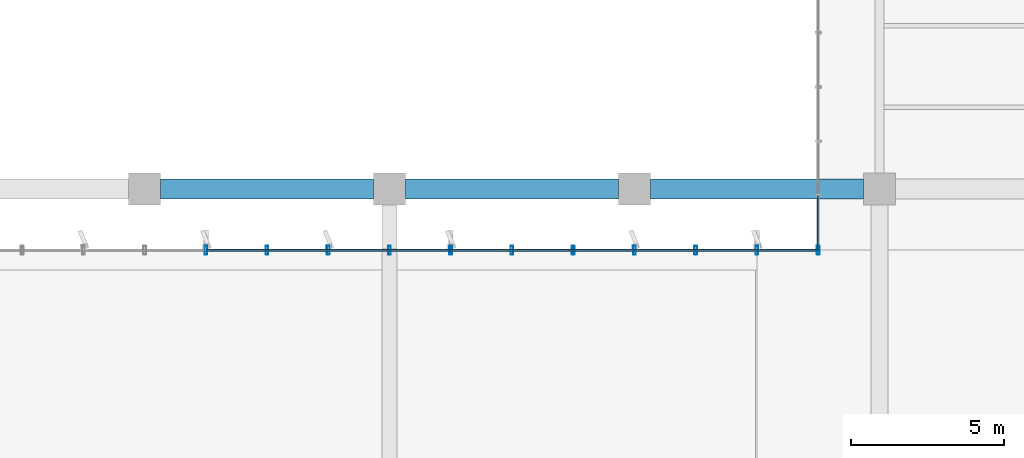
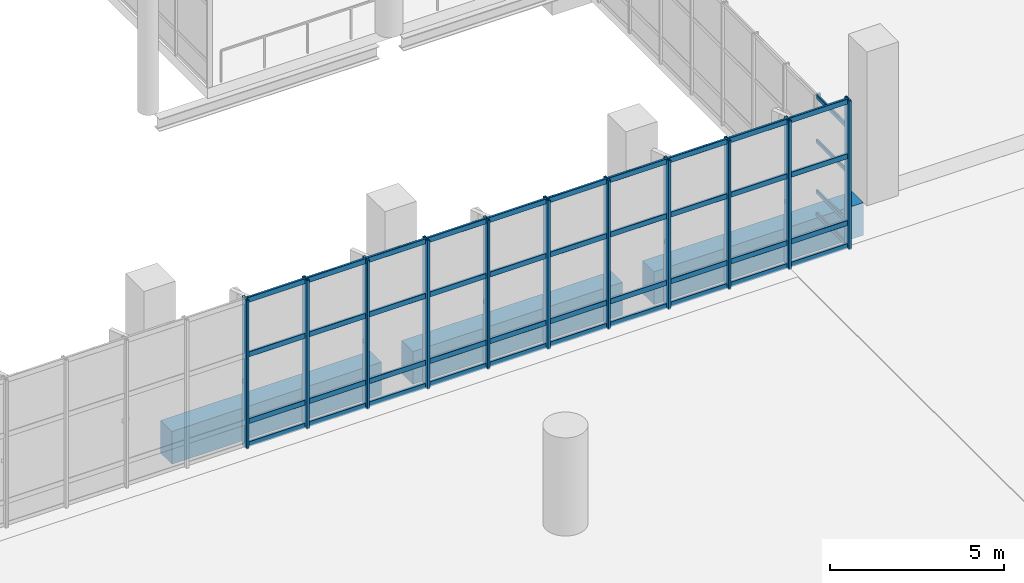
# One storey, part 60 of 176: 55 members, 3 beams, 4 elements without a shape of their own.
"""IFC4 building model written with IfcOpenShell, lengths in metres."""

from ifc_helpers import new_model, si_unit, direction, frame, origin, origin_2d, place, context, subcontext, project, spatial, rectangle, hollow_rectangle, extrude, material, layer, layer_set, material_profile, profile_set, type_object, element, aggregate, save


model = new_model("IFC4")

# Units and contexts
model_context = context("Model", 3, precision=1e-05, world=origin(), true_north=direction((0.0, 1.0)))
body_context = subcontext(model_context, "Body", "Model", "MODEL_VIEW")
ifc_project = project(units=[si_unit("LENGTHUNIT", "METRE"), si_unit("AREAUNIT", "SQUARE_METRE"), si_unit("VOLUMEUNIT", "CUBIC_METRE"), si_unit("PLANEANGLEUNIT", "RADIAN"), si_unit("MASSUNIT", "GRAM", prefix="KILO")], contexts=[model_context])

# Site, building, storey
site_placement = place(None, origin())
site = spatial("IfcSite", under=ifc_project, at=site_placement, CompositionType="ELEMENT")
building_placement = place(site_placement, origin())
building = spatial("IfcBuilding", under=site, at=building_placement, Name="Khorjan Park Terminus", CompositionType="ELEMENT")
storey_placement = place(building_placement, frame((0.0, 0.0, 6.0)))
storey = spatial("IfcBuildingStorey", under=building, at=storey_placement, Name="L01", CompositionType="ELEMENT", Elevation=6.0)

# Curtain wall, members
ifc_material_1 = material(Name="Anodized Bronze Aluminium", Category="aluminium")
ifc_layer_1 = layer(ifc_material_1, 0.22)
ifc_layer_set_1 = layer_set([ifc_layer_1], Name="Anodized Bronze Aluminium")
curtain_wall_type_1 = type_object("IfcCurtainWallType", Name="CW-CONC-A", PredefinedType="NOTDEFINED", material=ifc_layer_set_1)
curtain_wall_1_placement = place(storey_placement, origin())
curtain_wall_1 = element("IfcCurtainWall", 1, at=curtain_wall_1_placement, inside=storey, type_object=curtain_wall_type_1, Name="Unitized curtain wall CW-A (CW-V2-N-L01-04)", PredefinedType="NOTDEFINED")
ifc_material_profile_1 = material_profile(ifc_material_1, hollow_rectangle(XDim=0.09, YDim=0.28, WallThickness=0.006, InnerFilletRadius=0.006, OuterFilletRadius=0.012, at=origin_2d()), Name="ALM 90x280x6")
ifc_profile_set_1 = profile_set([ifc_material_profile_1], Name="Anodized Bronze Aluminium")
member_type_1 = type_object("IfcMemberType", Name="ML-ALM-280", PredefinedType="MULLION", material=ifc_profile_set_1)
member_1_placement = place(storey_placement, frame((92.0, 86.0, -0.035), z_axis=(0.0, 0.0, 1.0), x_axis=(-1.0, 0.0, 0.0)))
member_1 = element("IfcMember", 2, at=member_1_placement, type_object=member_type_1, Name="Curtain-wall mullion ML-28 (CW-V2-N-L01-04-0)", PredefinedType="MULLION", context=body_context, shape_type="SweptSolid", body=[
    extrude(hollow_rectangle(XDim=0.09, YDim=0.28, WallThickness=0.006, InnerFilletRadius=0.006, OuterFilletRadius=0.012, at=origin_2d()), origin(), (0.0, 0.0, 1.0), 5.22),
])
member_2_placement = place(storey_placement, frame((90.0, 86.0, -0.035), z_axis=(0.0, 0.0, 1.0), x_axis=(-1.0, 0.0, 0.0)))
member_2 = element("IfcMember", 3, at=member_2_placement, type_object=member_type_1, Name="Curtain-wall mullion ML-28 (CW-V2-N-L01-04-1)", PredefinedType="MULLION", context=body_context, shape_type="SweptSolid", body=[
    extrude(hollow_rectangle(XDim=0.09, YDim=0.28, WallThickness=0.006, InnerFilletRadius=0.006, OuterFilletRadius=0.012, at=origin_2d()), origin(), (0.0, 0.0, 1.0), 5.22),
])

curtain_wall_2_placement = place(storey_placement, origin())
curtain_wall_2 = element("IfcCurtainWall", 4, at=curtain_wall_2_placement, inside=storey, type_object=curtain_wall_type_1, Name="Unitized curtain wall CW-A (CW-V2-N-L01-05)", PredefinedType="NOTDEFINED")
member_3_placement = place(storey_placement, frame((100.0, 86.0, -0.035), z_axis=(0.0, 0.0, 1.0), x_axis=(-1.0, 0.0, 0.0)))
member_3 = element("IfcMember", 5, at=member_3_placement, type_object=member_type_1, Name="Curtain-wall mullion ML-28 (CW-V2-N-L01-05-0)", PredefinedType="MULLION", context=body_context, shape_type="SweptSolid", body=[
    extrude(hollow_rectangle(XDim=0.09, YDim=0.28, WallThickness=0.006, InnerFilletRadius=0.006, OuterFilletRadius=0.012, at=origin_2d()), origin(), (0.0, 0.0, 1.0), 5.22),
])
member_4_placement = place(storey_placement, frame((98.0, 86.0, -0.035), z_axis=(0.0, 0.0, 1.0), x_axis=(-1.0, 0.0, 0.0)))
member_4 = element("IfcMember", 6, at=member_4_placement, type_object=member_type_1, Name="Curtain-wall mullion ML-28 (CW-V2-N-L01-05-1)", PredefinedType="MULLION", context=body_context, shape_type="SweptSolid", body=[
    extrude(hollow_rectangle(XDim=0.09, YDim=0.28, WallThickness=0.006, InnerFilletRadius=0.006, OuterFilletRadius=0.012, at=origin_2d()), origin(), (0.0, 0.0, 1.0), 5.22),
])
member_5_placement = place(storey_placement, frame((96.0, 86.0, -0.035), z_axis=(0.0, 0.0, 1.0), x_axis=(-1.0, 0.0, 0.0)))
member_5 = element("IfcMember", 7, at=member_5_placement, type_object=member_type_1, Name="Curtain-wall mullion ML-28 (CW-V2-N-L01-05-2)", PredefinedType="MULLION", context=body_context, shape_type="SweptSolid", body=[
    extrude(hollow_rectangle(XDim=0.09, YDim=0.28, WallThickness=0.006, InnerFilletRadius=0.006, OuterFilletRadius=0.012, at=origin_2d()), origin(), (0.0, 0.0, 1.0), 5.22),
])
member_6_placement = place(storey_placement, frame((94.0, 86.0, -0.035), z_axis=(0.0, 0.0, 1.0), x_axis=(-1.0, 0.0, 0.0)))
member_6 = element("IfcMember", 8, at=member_6_placement, type_object=member_type_1, Name="Curtain-wall mullion ML-28 (CW-V2-N-L01-05-3)", PredefinedType="MULLION", context=body_context, shape_type="SweptSolid", body=[
    extrude(hollow_rectangle(XDim=0.09, YDim=0.28, WallThickness=0.006, InnerFilletRadius=0.006, OuterFilletRadius=0.012, at=origin_2d()), origin(), (0.0, 0.0, 1.0), 5.22),
])

curtain_wall_3_placement = place(storey_placement, origin())
curtain_wall_3 = element("IfcCurtainWall", 9, at=curtain_wall_3_placement, inside=storey, type_object=curtain_wall_type_1, Name="Unitized curtain wall CW-A (CW-V2-N-L01-06)", PredefinedType="NOTDEFINED")
member_7_placement = place(storey_placement, frame((110.0, 86.0, -0.035), z_axis=(0.0, 0.0, 1.0), x_axis=(-1.0, 0.0, 0.0)))
member_7 = element("IfcMember", 10, at=member_7_placement, type_object=member_type_1, Name="Curtain-wall mullion ML-28 (CW-V2-N-L01-06-0)", PredefinedType="MULLION", context=body_context, shape_type="SweptSolid", body=[
    extrude(hollow_rectangle(XDim=0.09, YDim=0.28, WallThickness=0.006, InnerFilletRadius=0.006, OuterFilletRadius=0.012, at=origin_2d()), origin(), (0.0, 0.0, 1.0), 5.22),
])
member_8_placement = place(storey_placement, frame((108.0, 86.0, -0.035), z_axis=(0.0, 0.0, 1.0), x_axis=(-1.0, 0.0, 0.0)))
member_8 = element("IfcMember", 11, at=member_8_placement, type_object=member_type_1, Name="Curtain-wall mullion ML-28 (CW-V2-N-L01-06-1)", PredefinedType="MULLION", context=body_context, shape_type="SweptSolid", body=[
    extrude(hollow_rectangle(XDim=0.09, YDim=0.28, WallThickness=0.006, InnerFilletRadius=0.006, OuterFilletRadius=0.012, at=origin_2d()), origin(), (0.0, 0.0, 1.0), 5.22),
])
member_9_placement = place(storey_placement, frame((106.0, 86.0, -0.035), z_axis=(0.0, 0.0, 1.0), x_axis=(-1.0, 0.0, 0.0)))
member_9 = element("IfcMember", 12, at=member_9_placement, type_object=member_type_1, Name="Curtain-wall mullion ML-28 (CW-V2-N-L01-06-2)", PredefinedType="MULLION", context=body_context, shape_type="SweptSolid", body=[
    extrude(hollow_rectangle(XDim=0.09, YDim=0.28, WallThickness=0.006, InnerFilletRadius=0.006, OuterFilletRadius=0.012, at=origin_2d()), origin(), (0.0, 0.0, 1.0), 5.22),
])
member_10_placement = place(storey_placement, frame((104.0, 86.0, -0.035), z_axis=(0.0, 0.0, 1.0), x_axis=(-1.0, 0.0, 0.0)))
member_10 = element("IfcMember", 13, at=member_10_placement, type_object=member_type_1, Name="Curtain-wall mullion ML-28 (CW-V2-N-L01-06-3)", PredefinedType="MULLION", context=body_context, shape_type="SweptSolid", body=[
    extrude(hollow_rectangle(XDim=0.09, YDim=0.28, WallThickness=0.006, InnerFilletRadius=0.006, OuterFilletRadius=0.012, at=origin_2d()), origin(), (0.0, 0.0, 1.0), 5.22),
])
member_11_placement = place(storey_placement, frame((102.0, 86.0, -0.035), z_axis=(0.0, 0.0, 1.0), x_axis=(-1.0, 0.0, 0.0)))
member_11 = element("IfcMember", 14, at=member_11_placement, type_object=member_type_1, Name="Curtain-wall mullion ML-28 (CW-V2-N-L01-06-4)", PredefinedType="MULLION", context=body_context, shape_type="SweptSolid", body=[
    extrude(hollow_rectangle(XDim=0.09, YDim=0.28, WallThickness=0.006, InnerFilletRadius=0.006, OuterFilletRadius=0.012, at=origin_2d()), origin(), (0.0, 0.0, 1.0), 5.22),
])

# Beams
ifc_material_2 = material(Name="Concrete C50/60", Category="concrete")
ifc_material_profile_2 = material_profile(ifc_material_2, rectangle(XDim=0.65, YDim=1.15, at=origin_2d()), Name="RC 650x1150")
ifc_profile_set_2 = profile_set([ifc_material_profile_2], Name="Concrete C50/60")
beam_type = type_object("IfcBeamType", Name="SP-RC650x1150", PredefinedType="SPANDREL", material=ifc_profile_set_2)
for number, where, z_axis, x_axis, name in (
    (15, (88.52, 88.0, -0.575), (1.0, 0.0, 0.0), (0.0, 1.0, 0.0), "Concourse lower colonnade ring beam SP-11 (L01-12)"),
    (16, (96.52, 88.0, -0.575), (1.0, 0.0, 0.0), (0.0, 1.0, 0.0), "Concourse lower colonnade ring beam SP-11 (L01-14)"),
    (17, (104.52, 88.0, -0.575), (1.0, 0.0, 0.0), (0.0, 1.0, 0.0), "Concourse lower colonnade ring beam SP-11 (L01-16)"),
):
    element("IfcBeam", number, at=place(storey_placement, frame(where, z_axis=z_axis, x_axis=x_axis)), inside=storey, type_object=beam_type, Name=name, PredefinedType="SPANDREL", context=body_context, shape_type="SweptSolid", body=[
        extrude(rectangle(XDim=0.65, YDim=1.15, at=origin_2d()), origin(), (0.0, 0.0, 1.0), 6.96),
    ])

# Curtain wall, members
ifc_layer_2 = layer(ifc_material_1, 0.22)
ifc_layer_set_2 = layer_set([ifc_layer_2], Name="Anodized Bronze Aluminium")
curtain_wall_type_2 = type_object("IfcCurtainWallType", Name="CW-BRG-D", PredefinedType="NOTDEFINED", material=ifc_layer_set_2)
curtain_wall_4_placement = place(storey_placement, origin())
curtain_wall_4 = element("IfcCurtainWall", 18, at=curtain_wall_4_placement, inside=storey, type_object=curtain_wall_type_2, Name="Unitized curtain wall CW-D (CW-NKE-W-L01)", PredefinedType="NOTDEFINED")
ifc_material_profile_3 = material_profile(ifc_material_1, hollow_rectangle(XDim=0.065, YDim=0.14, WallThickness=0.004, InnerFilletRadius=0.004, OuterFilletRadius=0.008, at=origin_2d()), Name="ALT 65x140x4")
ifc_profile_set_3 = profile_set([ifc_material_profile_3], Name="Anodized Bronze Aluminium")
member_type_2 = type_object("IfcMemberType", Name="TR-ALT-140", PredefinedType="USERDEFINED", material=ifc_profile_set_3)
member_12_placement = place(storey_placement, frame((110.0, 87.7778, 0.04), z_axis=(0.0, -1.0, 0.0), x_axis=(1.0, 0.0, 0.0)))
member_12 = element("IfcMember", 19, at=member_12_placement, type_object=member_type_2, Name="Curtain-wall transom TR-14 (CW-NKE-W-L01-8-1)", ObjectType="TRANSOM", PredefinedType="USERDEFINED", context=body_context, shape_type="SweptSolid", body=[
    extrude(hollow_rectangle(XDim=0.065, YDim=0.14, WallThickness=0.004, InnerFilletRadius=0.004, OuterFilletRadius=0.008, at=origin_2d()), origin(), (0.0, 0.0, 1.0), 1.7778),
])
member_13_placement = place(storey_placement, frame((110.0, 87.7778, 0.85), z_axis=(0.0, -1.0, 0.0), x_axis=(1.0, 0.0, 0.0)))
member_13 = element("IfcMember", 20, at=member_13_placement, type_object=member_type_2, Name="Curtain-wall transom TR-14 (CW-NKE-W-L01-8-2)", ObjectType="TRANSOM", PredefinedType="USERDEFINED", context=body_context, shape_type="SweptSolid", body=[
    extrude(hollow_rectangle(XDim=0.065, YDim=0.14, WallThickness=0.004, InnerFilletRadius=0.004, OuterFilletRadius=0.008, at=origin_2d()), origin(), (0.0, 0.0, 1.0), 1.7778),
])
member_14_placement = place(storey_placement, frame((110.0, 87.7778, 2.6195), z_axis=(0.0, -1.0, 0.0), x_axis=(1.0, 0.0, 0.0)))
member_14 = element("IfcMember", 21, at=member_14_placement, type_object=member_type_2, Name="Curtain-wall transom TR-14 (CW-NKE-W-L01-8-3)", ObjectType="TRANSOM", PredefinedType="USERDEFINED", context=body_context, shape_type="SweptSolid", body=[
    extrude(hollow_rectangle(XDim=0.065, YDim=0.14, WallThickness=0.004, InnerFilletRadius=0.004, OuterFilletRadius=0.008, at=origin_2d()), origin(), (0.0, 0.0, 1.0), 1.7778),
])
member_15_placement = place(storey_placement, frame((110.0, 87.7778, 4.185), z_axis=(0.0, -1.0, 0.0), x_axis=(1.0, 0.0, 0.0)))
member_15 = element("IfcMember", 22, at=member_15_placement, type_object=member_type_2, Name="Curtain-wall transom TR-14 (CW-NKE-W-L01-8-4)", ObjectType="TRANSOM", PredefinedType="USERDEFINED", context=body_context, shape_type="SweptSolid", body=[
    extrude(hollow_rectangle(XDim=0.065, YDim=0.14, WallThickness=0.004, InnerFilletRadius=0.004, OuterFilletRadius=0.008, at=origin_2d()), origin(), (0.0, 0.0, 1.0), 1.7778),
])
aggregate(curtain_wall_4, [member_12, member_13, member_14, member_15])

# Member
ifc_material_profile_4 = material_profile(ifc_material_1, hollow_rectangle(XDim=0.075, YDim=0.185, WallThickness=0.005, InnerFilletRadius=0.005, OuterFilletRadius=0.01, at=origin_2d()), Name="ALT 75x185x5")
ifc_profile_set_4 = profile_set([ifc_material_profile_4], Name="Anodized Bronze Aluminium")
member_type_3 = type_object("IfcMemberType", Name="TR-ALT-185", PredefinedType="USERDEFINED", material=ifc_profile_set_4)
member_16_placement = place(storey_placement, frame((92.0, 86.0, 0.04), z_axis=(-1.0, 0.0, 0.0), x_axis=(0.0, -1.0, 0.0)))
member_16 = element("IfcMember", 23, at=member_16_placement, type_object=member_type_3, Name="Curtain-wall transom TR-18 (CW-V2-N-L01-04-0-1)", ObjectType="TRANSOM", PredefinedType="USERDEFINED", context=body_context, shape_type="SweptSolid", body=[
    extrude(hollow_rectangle(XDim=0.075, YDim=0.185, WallThickness=0.005, InnerFilletRadius=0.005, OuterFilletRadius=0.01, at=origin_2d()), origin(), (0.0, 0.0, 1.0), 2.0),
])

member_17_placement = place(storey_placement, frame((92.0, 86.0, 0.85), z_axis=(-1.0, 0.0, 0.0), x_axis=(0.0, -1.0, 0.0)))
member_17 = element("IfcMember", 24, at=member_17_placement, type_object=member_type_3, Name="Curtain-wall transom TR-18 (CW-V2-N-L01-04-0-2)", ObjectType="TRANSOM", PredefinedType="USERDEFINED", context=body_context, shape_type="SweptSolid", body=[
    extrude(hollow_rectangle(XDim=0.075, YDim=0.185, WallThickness=0.005, InnerFilletRadius=0.005, OuterFilletRadius=0.01, at=origin_2d()), origin(), (0.0, 0.0, 1.0), 2.0),
])

member_18_placement = place(storey_placement, frame((92.0, 86.0, 3.193), z_axis=(-1.0, 0.0, 0.0), x_axis=(0.0, -1.0, 0.0)))
member_18 = element("IfcMember", 25, at=member_18_placement, type_object=member_type_3, Name="Curtain-wall transom TR-18 (CW-V2-N-L01-04-0-3)", ObjectType="TRANSOM", PredefinedType="USERDEFINED", context=body_context, shape_type="SweptSolid", body=[
    extrude(hollow_rectangle(XDim=0.075, YDim=0.185, WallThickness=0.005, InnerFilletRadius=0.005, OuterFilletRadius=0.01, at=origin_2d()), origin(), (0.0, 0.0, 1.0), 2.0),
])

member_19_placement = place(storey_placement, frame((92.0, 86.0, 5.11), z_axis=(-1.0, 0.0, 0.0), x_axis=(0.0, -1.0, 0.0)))
member_19 = element("IfcMember", 26, at=member_19_placement, type_object=member_type_3, Name="Curtain-wall transom TR-18 (CW-V2-N-L01-04-0-4)", ObjectType="TRANSOM", PredefinedType="USERDEFINED", context=body_context, shape_type="SweptSolid", body=[
    extrude(hollow_rectangle(XDim=0.075, YDim=0.185, WallThickness=0.005, InnerFilletRadius=0.005, OuterFilletRadius=0.01, at=origin_2d()), origin(), (0.0, 0.0, 1.0), 2.0),
])

aggregate(curtain_wall_1, [member_1, member_2, member_16, member_17, member_18, member_19])

member_20_placement = place(storey_placement, frame((100.0, 86.0, 0.04), z_axis=(-1.0, 0.0, 0.0), x_axis=(0.0, -1.0, 0.0)))
member_20 = element("IfcMember", 27, at=member_20_placement, type_object=member_type_3, Name="Curtain-wall transom TR-18 (CW-V2-N-L01-05-0-1)", ObjectType="TRANSOM", PredefinedType="USERDEFINED", context=body_context, shape_type="SweptSolid", body=[
    extrude(hollow_rectangle(XDim=0.075, YDim=0.185, WallThickness=0.005, InnerFilletRadius=0.005, OuterFilletRadius=0.01, at=origin_2d()), origin(), (0.0, 0.0, 1.0), 2.0),
])

member_21_placement = place(storey_placement, frame((100.0, 86.0, 0.85), z_axis=(-1.0, 0.0, 0.0), x_axis=(0.0, -1.0, 0.0)))
member_21 = element("IfcMember", 28, at=member_21_placement, type_object=member_type_3, Name="Curtain-wall transom TR-18 (CW-V2-N-L01-05-0-2)", ObjectType="TRANSOM", PredefinedType="USERDEFINED", context=body_context, shape_type="SweptSolid", body=[
    extrude(hollow_rectangle(XDim=0.075, YDim=0.185, WallThickness=0.005, InnerFilletRadius=0.005, OuterFilletRadius=0.01, at=origin_2d()), origin(), (0.0, 0.0, 1.0), 2.0),
])

member_22_placement = place(storey_placement, frame((100.0, 86.0, 3.193), z_axis=(-1.0, 0.0, 0.0), x_axis=(0.0, -1.0, 0.0)))
member_22 = element("IfcMember", 29, at=member_22_placement, type_object=member_type_3, Name="Curtain-wall transom TR-18 (CW-V2-N-L01-05-0-3)", ObjectType="TRANSOM", PredefinedType="USERDEFINED", context=body_context, shape_type="SweptSolid", body=[
    extrude(hollow_rectangle(XDim=0.075, YDim=0.185, WallThickness=0.005, InnerFilletRadius=0.005, OuterFilletRadius=0.01, at=origin_2d()), origin(), (0.0, 0.0, 1.0), 2.0),
])

member_23_placement = place(storey_placement, frame((100.0, 86.0, 5.11), z_axis=(-1.0, 0.0, 0.0), x_axis=(0.0, -1.0, 0.0)))
member_23 = element("IfcMember", 30, at=member_23_placement, type_object=member_type_3, Name="Curtain-wall transom TR-18 (CW-V2-N-L01-05-0-4)", ObjectType="TRANSOM", PredefinedType="USERDEFINED", context=body_context, shape_type="SweptSolid", body=[
    extrude(hollow_rectangle(XDim=0.075, YDim=0.185, WallThickness=0.005, InnerFilletRadius=0.005, OuterFilletRadius=0.01, at=origin_2d()), origin(), (0.0, 0.0, 1.0), 2.0),
])

member_24_placement = place(storey_placement, frame((98.0, 86.0, 0.04), z_axis=(-1.0, 0.0, 0.0), x_axis=(0.0, -1.0, 0.0)))
member_24 = element("IfcMember", 31, at=member_24_placement, type_object=member_type_3, Name="Curtain-wall transom TR-18 (CW-V2-N-L01-05-1-1)", ObjectType="TRANSOM", PredefinedType="USERDEFINED", context=body_context, shape_type="SweptSolid", body=[
    extrude(hollow_rectangle(XDim=0.075, YDim=0.185, WallThickness=0.005, InnerFilletRadius=0.005, OuterFilletRadius=0.01, at=origin_2d()), origin(), (0.0, 0.0, 1.0), 2.0),
])

member_25_placement = place(storey_placement, frame((98.0, 86.0, 0.85), z_axis=(-1.0, 0.0, 0.0), x_axis=(0.0, -1.0, 0.0)))
member_25 = element("IfcMember", 32, at=member_25_placement, type_object=member_type_3, Name="Curtain-wall transom TR-18 (CW-V2-N-L01-05-1-2)", ObjectType="TRANSOM", PredefinedType="USERDEFINED", context=body_context, shape_type="SweptSolid", body=[
    extrude(hollow_rectangle(XDim=0.075, YDim=0.185, WallThickness=0.005, InnerFilletRadius=0.005, OuterFilletRadius=0.01, at=origin_2d()), origin(), (0.0, 0.0, 1.0), 2.0),
])

member_26_placement = place(storey_placement, frame((98.0, 86.0, 3.193), z_axis=(-1.0, 0.0, 0.0), x_axis=(0.0, -1.0, 0.0)))
member_26 = element("IfcMember", 33, at=member_26_placement, type_object=member_type_3, Name="Curtain-wall transom TR-18 (CW-V2-N-L01-05-1-3)", ObjectType="TRANSOM", PredefinedType="USERDEFINED", context=body_context, shape_type="SweptSolid", body=[
    extrude(hollow_rectangle(XDim=0.075, YDim=0.185, WallThickness=0.005, InnerFilletRadius=0.005, OuterFilletRadius=0.01, at=origin_2d()), origin(), (0.0, 0.0, 1.0), 2.0),
])

member_27_placement = place(storey_placement, frame((98.0, 86.0, 5.11), z_axis=(-1.0, 0.0, 0.0), x_axis=(0.0, -1.0, 0.0)))
member_27 = element("IfcMember", 34, at=member_27_placement, type_object=member_type_3, Name="Curtain-wall transom TR-18 (CW-V2-N-L01-05-1-4)", ObjectType="TRANSOM", PredefinedType="USERDEFINED", context=body_context, shape_type="SweptSolid", body=[
    extrude(hollow_rectangle(XDim=0.075, YDim=0.185, WallThickness=0.005, InnerFilletRadius=0.005, OuterFilletRadius=0.01, at=origin_2d()), origin(), (0.0, 0.0, 1.0), 2.0),
])

member_28_placement = place(storey_placement, frame((96.0, 86.0, 0.04), z_axis=(-1.0, 0.0, 0.0), x_axis=(0.0, -1.0, 0.0)))
member_28 = element("IfcMember", 35, at=member_28_placement, type_object=member_type_3, Name="Curtain-wall transom TR-18 (CW-V2-N-L01-05-2-1)", ObjectType="TRANSOM", PredefinedType="USERDEFINED", context=body_context, shape_type="SweptSolid", body=[
    extrude(hollow_rectangle(XDim=0.075, YDim=0.185, WallThickness=0.005, InnerFilletRadius=0.005, OuterFilletRadius=0.01, at=origin_2d()), origin(), (0.0, 0.0, 1.0), 2.0),
])

member_29_placement = place(storey_placement, frame((96.0, 86.0, 0.85), z_axis=(-1.0, 0.0, 0.0), x_axis=(0.0, -1.0, 0.0)))
member_29 = element("IfcMember", 36, at=member_29_placement, type_object=member_type_3, Name="Curtain-wall transom TR-18 (CW-V2-N-L01-05-2-2)", ObjectType="TRANSOM", PredefinedType="USERDEFINED", context=body_context, shape_type="SweptSolid", body=[
    extrude(hollow_rectangle(XDim=0.075, YDim=0.185, WallThickness=0.005, InnerFilletRadius=0.005, OuterFilletRadius=0.01, at=origin_2d()), origin(), (0.0, 0.0, 1.0), 2.0),
])

member_30_placement = place(storey_placement, frame((96.0, 86.0, 3.193), z_axis=(-1.0, 0.0, 0.0), x_axis=(0.0, -1.0, 0.0)))
member_30 = element("IfcMember", 37, at=member_30_placement, type_object=member_type_3, Name="Curtain-wall transom TR-18 (CW-V2-N-L01-05-2-3)", ObjectType="TRANSOM", PredefinedType="USERDEFINED", context=body_context, shape_type="SweptSolid", body=[
    extrude(hollow_rectangle(XDim=0.075, YDim=0.185, WallThickness=0.005, InnerFilletRadius=0.005, OuterFilletRadius=0.01, at=origin_2d()), origin(), (0.0, 0.0, 1.0), 2.0),
])

member_31_placement = place(storey_placement, frame((96.0, 86.0, 5.11), z_axis=(-1.0, 0.0, 0.0), x_axis=(0.0, -1.0, 0.0)))
member_31 = element("IfcMember", 38, at=member_31_placement, type_object=member_type_3, Name="Curtain-wall transom TR-18 (CW-V2-N-L01-05-2-4)", ObjectType="TRANSOM", PredefinedType="USERDEFINED", context=body_context, shape_type="SweptSolid", body=[
    extrude(hollow_rectangle(XDim=0.075, YDim=0.185, WallThickness=0.005, InnerFilletRadius=0.005, OuterFilletRadius=0.01, at=origin_2d()), origin(), (0.0, 0.0, 1.0), 2.0),
])

member_32_placement = place(storey_placement, frame((94.0, 86.0, 0.04), z_axis=(-1.0, 0.0, 0.0), x_axis=(0.0, -1.0, 0.0)))
member_32 = element("IfcMember", 39, at=member_32_placement, type_object=member_type_3, Name="Curtain-wall transom TR-18 (CW-V2-N-L01-05-3-1)", ObjectType="TRANSOM", PredefinedType="USERDEFINED", context=body_context, shape_type="SweptSolid", body=[
    extrude(hollow_rectangle(XDim=0.075, YDim=0.185, WallThickness=0.005, InnerFilletRadius=0.005, OuterFilletRadius=0.01, at=origin_2d()), origin(), (0.0, 0.0, 1.0), 2.0),
])

member_33_placement = place(storey_placement, frame((94.0, 86.0, 0.85), z_axis=(-1.0, 0.0, 0.0), x_axis=(0.0, -1.0, 0.0)))
member_33 = element("IfcMember", 40, at=member_33_placement, type_object=member_type_3, Name="Curtain-wall transom TR-18 (CW-V2-N-L01-05-3-2)", ObjectType="TRANSOM", PredefinedType="USERDEFINED", context=body_context, shape_type="SweptSolid", body=[
    extrude(hollow_rectangle(XDim=0.075, YDim=0.185, WallThickness=0.005, InnerFilletRadius=0.005, OuterFilletRadius=0.01, at=origin_2d()), origin(), (0.0, 0.0, 1.0), 2.0),
])

member_34_placement = place(storey_placement, frame((94.0, 86.0, 3.193), z_axis=(-1.0, 0.0, 0.0), x_axis=(0.0, -1.0, 0.0)))
member_34 = element("IfcMember", 41, at=member_34_placement, type_object=member_type_3, Name="Curtain-wall transom TR-18 (CW-V2-N-L01-05-3-3)", ObjectType="TRANSOM", PredefinedType="USERDEFINED", context=body_context, shape_type="SweptSolid", body=[
    extrude(hollow_rectangle(XDim=0.075, YDim=0.185, WallThickness=0.005, InnerFilletRadius=0.005, OuterFilletRadius=0.01, at=origin_2d()), origin(), (0.0, 0.0, 1.0), 2.0),
])

member_35_placement = place(storey_placement, frame((94.0, 86.0, 5.11), z_axis=(-1.0, 0.0, 0.0), x_axis=(0.0, -1.0, 0.0)))
member_35 = element("IfcMember", 42, at=member_35_placement, type_object=member_type_3, Name="Curtain-wall transom TR-18 (CW-V2-N-L01-05-3-4)", ObjectType="TRANSOM", PredefinedType="USERDEFINED", context=body_context, shape_type="SweptSolid", body=[
    extrude(hollow_rectangle(XDim=0.075, YDim=0.185, WallThickness=0.005, InnerFilletRadius=0.005, OuterFilletRadius=0.01, at=origin_2d()), origin(), (0.0, 0.0, 1.0), 2.0),
])

aggregate(curtain_wall_2, [member_3, member_4, member_5, member_6, member_20, member_21, member_22, member_23, member_24, member_25, member_26, member_27, member_28, member_29, member_30, member_31, member_32, member_33, member_34, member_35])

member_36_placement = place(storey_placement, frame((110.0, 86.0, 0.04), z_axis=(-1.0, 0.0, 0.0), x_axis=(0.0, -1.0, 0.0)))
member_36 = element("IfcMember", 43, at=member_36_placement, type_object=member_type_3, Name="Curtain-wall transom TR-18 (CW-V2-N-L01-06-0-1)", ObjectType="TRANSOM", PredefinedType="USERDEFINED", context=body_context, shape_type="SweptSolid", body=[
    extrude(hollow_rectangle(XDim=0.075, YDim=0.185, WallThickness=0.005, InnerFilletRadius=0.005, OuterFilletRadius=0.01, at=origin_2d()), origin(), (0.0, 0.0, 1.0), 2.0),
])

member_37_placement = place(storey_placement, frame((110.0, 86.0, 0.85), z_axis=(-1.0, 0.0, 0.0), x_axis=(0.0, -1.0, 0.0)))
member_37 = element("IfcMember", 44, at=member_37_placement, type_object=member_type_3, Name="Curtain-wall transom TR-18 (CW-V2-N-L01-06-0-2)", ObjectType="TRANSOM", PredefinedType="USERDEFINED", context=body_context, shape_type="SweptSolid", body=[
    extrude(hollow_rectangle(XDim=0.075, YDim=0.185, WallThickness=0.005, InnerFilletRadius=0.005, OuterFilletRadius=0.01, at=origin_2d()), origin(), (0.0, 0.0, 1.0), 2.0),
])

member_38_placement = place(storey_placement, frame((110.0, 86.0, 3.193), z_axis=(-1.0, 0.0, 0.0), x_axis=(0.0, -1.0, 0.0)))
member_38 = element("IfcMember", 45, at=member_38_placement, type_object=member_type_3, Name="Curtain-wall transom TR-18 (CW-V2-N-L01-06-0-3)", ObjectType="TRANSOM", PredefinedType="USERDEFINED", context=body_context, shape_type="SweptSolid", body=[
    extrude(hollow_rectangle(XDim=0.075, YDim=0.185, WallThickness=0.005, InnerFilletRadius=0.005, OuterFilletRadius=0.01, at=origin_2d()), origin(), (0.0, 0.0, 1.0), 2.0),
])

member_39_placement = place(storey_placement, frame((110.0, 86.0, 5.11), z_axis=(-1.0, 0.0, 0.0), x_axis=(0.0, -1.0, 0.0)))
member_39 = element("IfcMember", 46, at=member_39_placement, type_object=member_type_3, Name="Curtain-wall transom TR-18 (CW-V2-N-L01-06-0-4)", ObjectType="TRANSOM", PredefinedType="USERDEFINED", context=body_context, shape_type="SweptSolid", body=[
    extrude(hollow_rectangle(XDim=0.075, YDim=0.185, WallThickness=0.005, InnerFilletRadius=0.005, OuterFilletRadius=0.01, at=origin_2d()), origin(), (0.0, 0.0, 1.0), 2.0),
])

member_40_placement = place(storey_placement, frame((108.0, 86.0, 0.04), z_axis=(-1.0, 0.0, 0.0), x_axis=(0.0, -1.0, 0.0)))
member_40 = element("IfcMember", 47, at=member_40_placement, type_object=member_type_3, Name="Curtain-wall transom TR-18 (CW-V2-N-L01-06-1-1)", ObjectType="TRANSOM", PredefinedType="USERDEFINED", context=body_context, shape_type="SweptSolid", body=[
    extrude(hollow_rectangle(XDim=0.075, YDim=0.185, WallThickness=0.005, InnerFilletRadius=0.005, OuterFilletRadius=0.01, at=origin_2d()), origin(), (0.0, 0.0, 1.0), 2.0),
])

member_41_placement = place(storey_placement, frame((108.0, 86.0, 0.85), z_axis=(-1.0, 0.0, 0.0), x_axis=(0.0, -1.0, 0.0)))
member_41 = element("IfcMember", 48, at=member_41_placement, type_object=member_type_3, Name="Curtain-wall transom TR-18 (CW-V2-N-L01-06-1-2)", ObjectType="TRANSOM", PredefinedType="USERDEFINED", context=body_context, shape_type="SweptSolid", body=[
    extrude(hollow_rectangle(XDim=0.075, YDim=0.185, WallThickness=0.005, InnerFilletRadius=0.005, OuterFilletRadius=0.01, at=origin_2d()), origin(), (0.0, 0.0, 1.0), 2.0),
])

member_42_placement = place(storey_placement, frame((108.0, 86.0, 3.193), z_axis=(-1.0, 0.0, 0.0), x_axis=(0.0, -1.0, 0.0)))
member_42 = element("IfcMember", 49, at=member_42_placement, type_object=member_type_3, Name="Curtain-wall transom TR-18 (CW-V2-N-L01-06-1-3)", ObjectType="TRANSOM", PredefinedType="USERDEFINED", context=body_context, shape_type="SweptSolid", body=[
    extrude(hollow_rectangle(XDim=0.075, YDim=0.185, WallThickness=0.005, InnerFilletRadius=0.005, OuterFilletRadius=0.01, at=origin_2d()), origin(), (0.0, 0.0, 1.0), 2.0),
])

member_43_placement = place(storey_placement, frame((108.0, 86.0, 5.11), z_axis=(-1.0, 0.0, 0.0), x_axis=(0.0, -1.0, 0.0)))
member_43 = element("IfcMember", 50, at=member_43_placement, type_object=member_type_3, Name="Curtain-wall transom TR-18 (CW-V2-N-L01-06-1-4)", ObjectType="TRANSOM", PredefinedType="USERDEFINED", context=body_context, shape_type="SweptSolid", body=[
    extrude(hollow_rectangle(XDim=0.075, YDim=0.185, WallThickness=0.005, InnerFilletRadius=0.005, OuterFilletRadius=0.01, at=origin_2d()), origin(), (0.0, 0.0, 1.0), 2.0),
])

member_44_placement = place(storey_placement, frame((106.0, 86.0, 0.04), z_axis=(-1.0, 0.0, 0.0), x_axis=(0.0, -1.0, 0.0)))
member_44 = element("IfcMember", 51, at=member_44_placement, type_object=member_type_3, Name="Curtain-wall transom TR-18 (CW-V2-N-L01-06-2-1)", ObjectType="TRANSOM", PredefinedType="USERDEFINED", context=body_context, shape_type="SweptSolid", body=[
    extrude(hollow_rectangle(XDim=0.075, YDim=0.185, WallThickness=0.005, InnerFilletRadius=0.005, OuterFilletRadius=0.01, at=origin_2d()), origin(), (0.0, 0.0, 1.0), 2.0),
])

member_45_placement = place(storey_placement, frame((106.0, 86.0, 0.85), z_axis=(-1.0, 0.0, 0.0), x_axis=(0.0, -1.0, 0.0)))
member_45 = element("IfcMember", 52, at=member_45_placement, type_object=member_type_3, Name="Curtain-wall transom TR-18 (CW-V2-N-L01-06-2-2)", ObjectType="TRANSOM", PredefinedType="USERDEFINED", context=body_context, shape_type="SweptSolid", body=[
    extrude(hollow_rectangle(XDim=0.075, YDim=0.185, WallThickness=0.005, InnerFilletRadius=0.005, OuterFilletRadius=0.01, at=origin_2d()), origin(), (0.0, 0.0, 1.0), 2.0),
])

member_46_placement = place(storey_placement, frame((106.0, 86.0, 3.193), z_axis=(-1.0, 0.0, 0.0), x_axis=(0.0, -1.0, 0.0)))
member_46 = element("IfcMember", 53, at=member_46_placement, type_object=member_type_3, Name="Curtain-wall transom TR-18 (CW-V2-N-L01-06-2-3)", ObjectType="TRANSOM", PredefinedType="USERDEFINED", context=body_context, shape_type="SweptSolid", body=[
    extrude(hollow_rectangle(XDim=0.075, YDim=0.185, WallThickness=0.005, InnerFilletRadius=0.005, OuterFilletRadius=0.01, at=origin_2d()), origin(), (0.0, 0.0, 1.0), 2.0),
])

member_47_placement = place(storey_placement, frame((106.0, 86.0, 5.11), z_axis=(-1.0, 0.0, 0.0), x_axis=(0.0, -1.0, 0.0)))
member_47 = element("IfcMember", 54, at=member_47_placement, type_object=member_type_3, Name="Curtain-wall transom TR-18 (CW-V2-N-L01-06-2-4)", ObjectType="TRANSOM", PredefinedType="USERDEFINED", context=body_context, shape_type="SweptSolid", body=[
    extrude(hollow_rectangle(XDim=0.075, YDim=0.185, WallThickness=0.005, InnerFilletRadius=0.005, OuterFilletRadius=0.01, at=origin_2d()), origin(), (0.0, 0.0, 1.0), 2.0),
])

member_48_placement = place(storey_placement, frame((104.0, 86.0, 0.04), z_axis=(-1.0, 0.0, 0.0), x_axis=(0.0, -1.0, 0.0)))
member_48 = element("IfcMember", 55, at=member_48_placement, type_object=member_type_3, Name="Curtain-wall transom TR-18 (CW-V2-N-L01-06-3-1)", ObjectType="TRANSOM", PredefinedType="USERDEFINED", context=body_context, shape_type="SweptSolid", body=[
    extrude(hollow_rectangle(XDim=0.075, YDim=0.185, WallThickness=0.005, InnerFilletRadius=0.005, OuterFilletRadius=0.01, at=origin_2d()), origin(), (0.0, 0.0, 1.0), 2.0),
])

member_49_placement = place(storey_placement, frame((104.0, 86.0, 0.85), z_axis=(-1.0, 0.0, 0.0), x_axis=(0.0, -1.0, 0.0)))
member_49 = element("IfcMember", 56, at=member_49_placement, type_object=member_type_3, Name="Curtain-wall transom TR-18 (CW-V2-N-L01-06-3-2)", ObjectType="TRANSOM", PredefinedType="USERDEFINED", context=body_context, shape_type="SweptSolid", body=[
    extrude(hollow_rectangle(XDim=0.075, YDim=0.185, WallThickness=0.005, InnerFilletRadius=0.005, OuterFilletRadius=0.01, at=origin_2d()), origin(), (0.0, 0.0, 1.0), 2.0),
])

member_50_placement = place(storey_placement, frame((104.0, 86.0, 3.193), z_axis=(-1.0, 0.0, 0.0), x_axis=(0.0, -1.0, 0.0)))
member_50 = element("IfcMember", 57, at=member_50_placement, type_object=member_type_3, Name="Curtain-wall transom TR-18 (CW-V2-N-L01-06-3-3)", ObjectType="TRANSOM", PredefinedType="USERDEFINED", context=body_context, shape_type="SweptSolid", body=[
    extrude(hollow_rectangle(XDim=0.075, YDim=0.185, WallThickness=0.005, InnerFilletRadius=0.005, OuterFilletRadius=0.01, at=origin_2d()), origin(), (0.0, 0.0, 1.0), 2.0),
])

member_51_placement = place(storey_placement, frame((104.0, 86.0, 5.11), z_axis=(-1.0, 0.0, 0.0), x_axis=(0.0, -1.0, 0.0)))
member_51 = element("IfcMember", 58, at=member_51_placement, type_object=member_type_3, Name="Curtain-wall transom TR-18 (CW-V2-N-L01-06-3-4)", ObjectType="TRANSOM", PredefinedType="USERDEFINED", context=body_context, shape_type="SweptSolid", body=[
    extrude(hollow_rectangle(XDim=0.075, YDim=0.185, WallThickness=0.005, InnerFilletRadius=0.005, OuterFilletRadius=0.01, at=origin_2d()), origin(), (0.0, 0.0, 1.0), 2.0),
])

member_52_placement = place(storey_placement, frame((102.0, 86.0, 0.04), z_axis=(-1.0, 0.0, 0.0), x_axis=(0.0, -1.0, 0.0)))
member_52 = element("IfcMember", 59, at=member_52_placement, type_object=member_type_3, Name="Curtain-wall transom TR-18 (CW-V2-N-L01-06-4-1)", ObjectType="TRANSOM", PredefinedType="USERDEFINED", context=body_context, shape_type="SweptSolid", body=[
    extrude(hollow_rectangle(XDim=0.075, YDim=0.185, WallThickness=0.005, InnerFilletRadius=0.005, OuterFilletRadius=0.01, at=origin_2d()), origin(), (0.0, 0.0, 1.0), 2.0),
])

member_53_placement = place(storey_placement, frame((102.0, 86.0, 0.85), z_axis=(-1.0, 0.0, 0.0), x_axis=(0.0, -1.0, 0.0)))
member_53 = element("IfcMember", 60, at=member_53_placement, type_object=member_type_3, Name="Curtain-wall transom TR-18 (CW-V2-N-L01-06-4-2)", ObjectType="TRANSOM", PredefinedType="USERDEFINED", context=body_context, shape_type="SweptSolid", body=[
    extrude(hollow_rectangle(XDim=0.075, YDim=0.185, WallThickness=0.005, InnerFilletRadius=0.005, OuterFilletRadius=0.01, at=origin_2d()), origin(), (0.0, 0.0, 1.0), 2.0),
])

member_54_placement = place(storey_placement, frame((102.0, 86.0, 3.193), z_axis=(-1.0, 0.0, 0.0), x_axis=(0.0, -1.0, 0.0)))
member_54 = element("IfcMember", 61, at=member_54_placement, type_object=member_type_3, Name="Curtain-wall transom TR-18 (CW-V2-N-L01-06-4-3)", ObjectType="TRANSOM", PredefinedType="USERDEFINED", context=body_context, shape_type="SweptSolid", body=[
    extrude(hollow_rectangle(XDim=0.075, YDim=0.185, WallThickness=0.005, InnerFilletRadius=0.005, OuterFilletRadius=0.01, at=origin_2d()), origin(), (0.0, 0.0, 1.0), 2.0),
])

member_55_placement = place(storey_placement, frame((102.0, 86.0, 5.11), z_axis=(-1.0, 0.0, 0.0), x_axis=(0.0, -1.0, 0.0)))
member_55 = element("IfcMember", 62, at=member_55_placement, type_object=member_type_3, Name="Curtain-wall transom TR-18 (CW-V2-N-L01-06-4-4)", ObjectType="TRANSOM", PredefinedType="USERDEFINED", context=body_context, shape_type="SweptSolid", body=[
    extrude(hollow_rectangle(XDim=0.075, YDim=0.185, WallThickness=0.005, InnerFilletRadius=0.005, OuterFilletRadius=0.01, at=origin_2d()), origin(), (0.0, 0.0, 1.0), 2.0),
])

aggregate(curtain_wall_3, [member_7, member_8, member_9, member_10, member_11, member_36, member_37, member_38, member_39, member_40, member_41, member_42, member_43, member_44, member_45, member_46, member_47, member_48, member_49, member_50, member_51, member_52, member_53, member_54, member_55])

save(model, "model.ifc")
